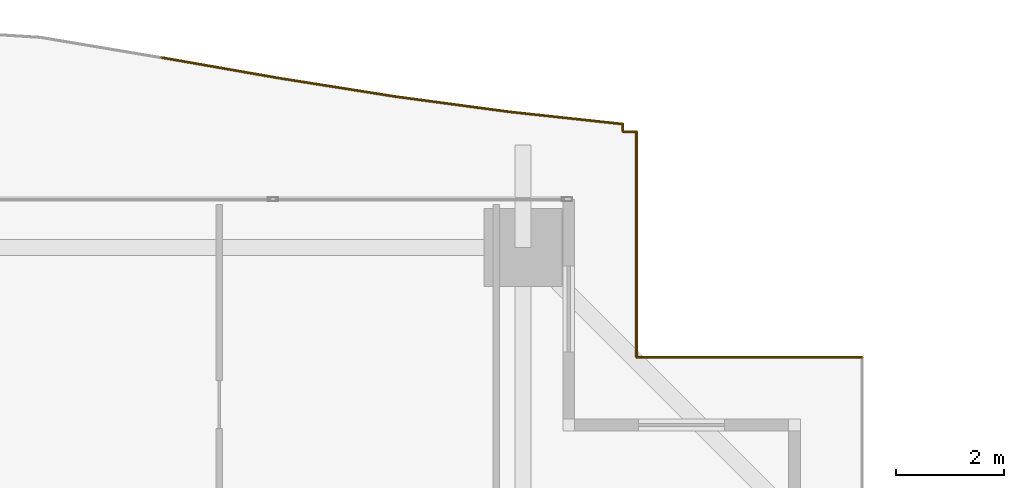
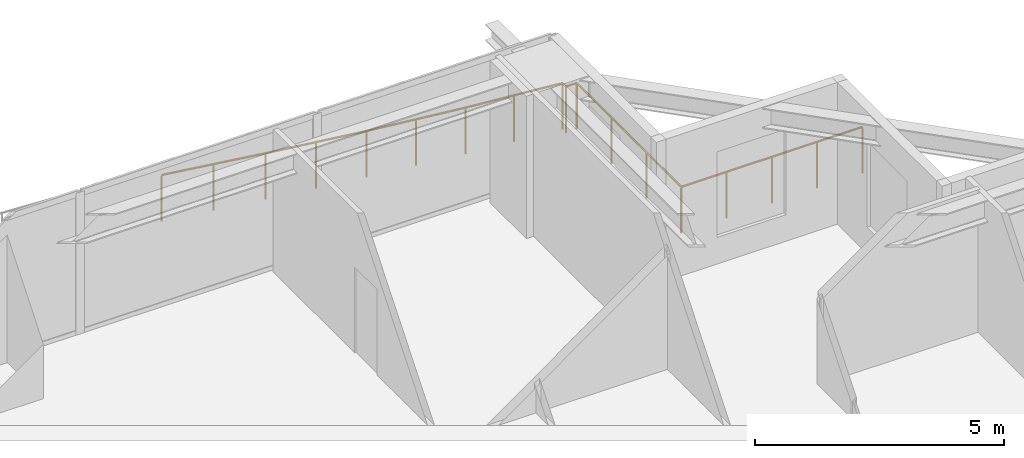
# One storey, part 35 of 35: 1 railing.
"""IFC4 building model written with IfcOpenShell, lengths in metres."""

from ifc_helpers import new_model, si_unit, direction, frame, origin, origin_2d, place, context, subcontext, project, spatial, circle, extrude, material, type_object, element, save


model = new_model("IFC4")

# Units and contexts
model_context = context("Model", 3, precision=1e-05, world=origin(), true_north=direction((0.0, 1.0)))
body_context = subcontext(model_context, "Body", "Model", "MODEL_VIEW")
ifc_project = project(units=[si_unit("LENGTHUNIT", "METRE"), si_unit("AREAUNIT", "SQUARE_METRE"), si_unit("VOLUMEUNIT", "CUBIC_METRE"), si_unit("PLANEANGLEUNIT", "RADIAN"), si_unit("MASSUNIT", "GRAM", prefix="KILO")], contexts=[model_context])

# Site, building, storey
site_placement = place(None, origin())
site = spatial("IfcSite", under=ifc_project, at=site_placement, CompositionType="ELEMENT")
building_placement = place(site_placement, origin())
building = spatial("IfcBuilding", under=site, at=building_placement, Name="Serunith Strait Residences", CompositionType="ELEMENT")
storey_placement = place(building_placement, frame((0.0, 0.0, 71.699951171875)))
storey = spatial("IfcBuildingStorey", under=building, at=storey_placement, Name="L17", CompositionType="ELEMENT", Elevation=71.699951171875)

# Railing
ifc_material = material(Name="Stainless Steel & Laminated Glass Balustrade", Category="steel")
railing_type = type_object("IfcRailingType", Name="RLG-BALC-1150", PredefinedType="BALUSTRADE", material=ifc_material)
railing_placement = place(storey_placement, frame((42.828369140625, 52.8369140625, -0.050048828125)))
element("IfcRailing", 1, at=railing_placement, inside=storey, type_object=railing_type, Name="L17 Swirling Balcony Perimeter Balustrade 6", PredefinedType="BALUSTRADE", context=body_context, shape_type="SweptSolid", body=[
    extrude(circle(Radius=0.02392578125, at=origin_2d()), frame((0.001953125, -0.000244140625, 1.1259765625), z_axis=(0.985025805222, -0.172406969253, 0.0), x_axis=(0.172406969253, 0.985025805222, 0.0)), (0.0, 0.0, 1.0), 2.21923828125),
    extrude(circle(Radius=0.02392578125, at=origin_2d()), frame((2.19189453125, -0.383544921875, 1.1259765625), z_axis=(0.987661724249, -0.15660242161, 0.0), x_axis=(0.15660242161, 0.987661724249, 0.0)), (0.0, 0.0, 1.0), 2.1708984375),
    extrude(circle(Radius=0.02392578125, at=origin_2d()), frame((4.33984375, -0.72412109375, 1.1259765625), z_axis=(0.991146161377, -0.132775324468, 0.0), x_axis=(0.132775324468, 0.991146161377, 0.0)), (0.0, 0.0, 1.0), 2.139892578125),
    extrude(circle(Radius=0.02392578125, at=origin_2d()), frame((6.46484375, -1.0087890625, 1.1259765625), z_axis=(0.994222933727, -0.107334794229, 0.0), x_axis=(0.107334794229, 0.994222933727, 0.0)), (0.0, 0.0, 1.0), 2.125),
    extrude(circle(Radius=0.02392578125, at=origin_2d()), frame((8.57958984375, -1.239013671875, 1.1259765625), z_axis=(-0.008725671297, -0.999961930606, 0.0), x_axis=(0.999961930606, -0.008725671297, 0.0)), (0.0, 0.0, 1.0), 0.135986328125),
    extrude(circle(Radius=0.02392578125, at=origin_2d()), frame((8.580322265625, -1.376953125, 1.1259765625), z_axis=(1.0, 0.0, 0.0), x_axis=(0.0, 1.0, 0.0)), (0.0, 0.0, 1.0), 0.249267578125),
    extrude(circle(Radius=0.02392578125, at=origin_2d()), frame((8.83154296875, -1.37890625, 1.1259765625), z_axis=(0.0, -1.0, 0.0), x_axis=(1.0, 0.0, 0.0)), (0.0, 0.0, 1.0), 4.196044921875),
    extrude(circle(Radius=0.02392578125, at=origin_2d()), frame((8.83349609375, -5.576904296875, 1.1259765625), z_axis=(1.0, 0.0, 0.0), x_axis=(0.0, 1.0, 0.0)), (0.0, 0.0, 1.0), 4.1962890625),
    extrude(circle(Radius=0.02099609375, at=origin_2d()), origin(), (0.0, 0.0, 1.0), 1.099853515625),
    extrude(circle(Radius=0.02099609375, at=origin_2d()), frame((1.094970703125, -0.191650390625, 0.0)), (0.0, 0.0, 1.0), 1.099853515625),
    extrude(circle(Radius=0.02099609375, at=origin_2d()), frame((2.18994140625, -0.38330078125, 0.0)), (0.0, 0.0, 1.0), 1.099853515625),
    extrude(circle(Radius=0.02099609375, at=origin_2d()), frame((3.263916015625, -0.5537109375, 0.0)), (0.0, 0.0, 1.0), 1.099853515625),
    extrude(circle(Radius=0.02099609375, at=origin_2d()), frame((4.337890625, -0.723876953125, 0.0)), (0.0, 0.0, 1.0), 1.099853515625),
    extrude(circle(Radius=0.02099609375, at=origin_2d()), frame((5.400390625, -0.8662109375, 0.0)), (0.0, 0.0, 1.0), 1.099853515625),
    extrude(circle(Radius=0.02099609375, at=origin_2d()), frame((6.462890625, -1.008544921875, 0.0)), (0.0, 0.0, 1.0), 1.099853515625),
    extrude(circle(Radius=0.02099609375, at=origin_2d()), frame((7.521240234375, -1.122802734375, 0.0)), (0.0, 0.0, 1.0), 1.099853515625),
    extrude(circle(Radius=0.02099609375, at=origin_2d()), frame((8.57958984375, -1.237060546875, 0.0)), (0.0, 0.0, 1.0), 1.099853515625),
    extrude(circle(Radius=0.02099609375, at=origin_2d()), frame((8.578369140625, -1.376953125, 0.0)), (0.0, 0.0, 1.0), 1.099853515625),
    extrude(circle(Radius=0.02099609375, at=origin_2d()), frame((8.83154296875, -1.376953125, 0.0)), (0.0, 0.0, 1.0), 1.099853515625),
    extrude(circle(Radius=0.02099609375, at=origin_2d()), frame((8.83154296875, -2.77685546875, 0.0)), (0.0, 0.0, 1.0), 1.099853515625),
    extrude(circle(Radius=0.02099609375, at=origin_2d()), frame((8.83154296875, -4.177001953125, 0.0)), (0.0, 0.0, 1.0), 1.099853515625),
    extrude(circle(Radius=0.02099609375, at=origin_2d()), frame((8.83154296875, -5.576904296875, 0.0)), (0.0, 0.0, 1.0), 1.099853515625),
    extrude(circle(Radius=0.02099609375, at=origin_2d()), frame((9.881591796875, -5.576904296875, 0.0)), (0.0, 0.0, 1.0), 1.099853515625),
    extrude(circle(Radius=0.02099609375, at=origin_2d()), frame((10.931640625, -5.576904296875, 0.0)), (0.0, 0.0, 1.0), 1.099853515625),
    extrude(circle(Radius=0.02099609375, at=origin_2d()), frame((11.981689453125, -5.576904296875, 0.0)), (0.0, 0.0, 1.0), 1.099853515625),
    extrude(circle(Radius=0.02099609375, at=origin_2d()), frame((13.03173828125, -5.576904296875, 0.0)), (0.0, 0.0, 1.0), 1.099853515625),
])

save(model, "model.ifc")
